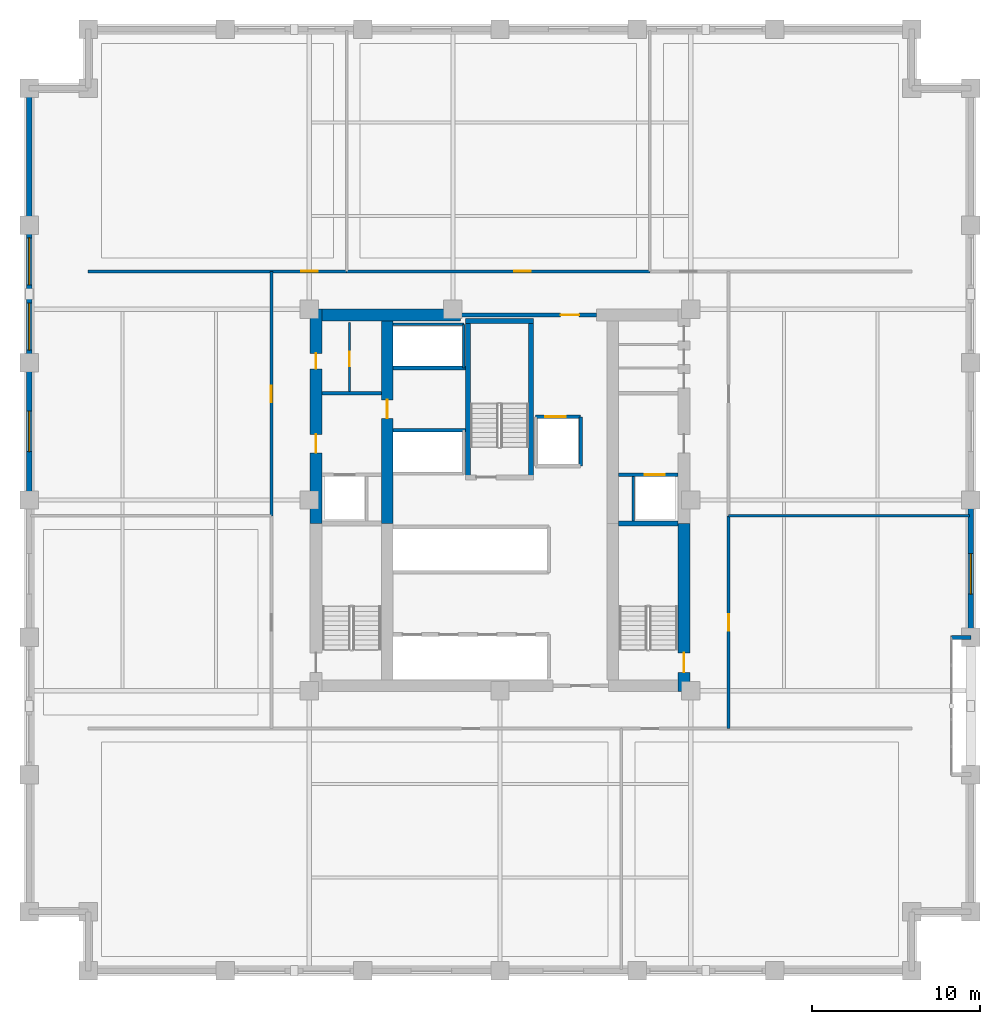
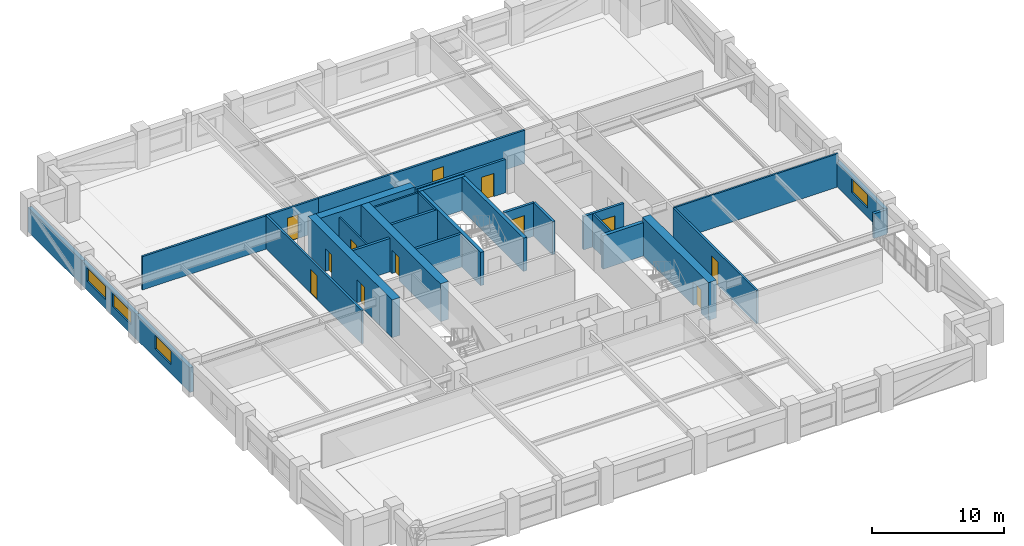
# One storey, part 5 of 12: 29 walls, 12 doors, 4 windows, 16 openings.
"""IFC4 building model written with IfcOpenShell, lengths in metres."""

import ifcopenshell
import ifcopenshell.guid

model = None  # the IFC model being written
_history = None  # IfcOwnerHistory: only IFC2X3 demands one
_inside = {}  # id of a spatial element -> (the spatial element, [elements in it])
_under = {}  # id of a project, library or spatial element -> (it, [spatial elements below it])
_declared = {}  # id of a project -> (the project, [libraries it declares])
_typed = {}  # id of a type object -> (the type object, [elements of that type])
_made_of = {}  # id of a material, layer set ... -> (it, [elements and type objects made of it])


def new_model(schema):
    """Start an empty IFC model of exactly this schema.

    Asked for "IFC4X3", IfcOpenShell would pick the latest addendum, in which some entities
    have other attributes; the version numbers below select the first issue.
    IFC2X3 requires an IfcOwnerHistory on every rooted entity: one is made here for all.
    """
    global model, _history
    if schema == "IFC4X3":
        model = ifcopenshell.file(schema_version=(4, 3, 0, 0))
    else:
        model = ifcopenshell.file(schema=schema)
    _inside.clear()
    _under.clear()
    _declared.clear()
    _typed.clear()
    _made_of.clear()
    _history = None
    if model.schema == "IFC2X3":
        org = make("IfcOrganization", Name="unknown")
        user = make(
            "IfcPersonAndOrganization",
            ThePerson=make("IfcPerson", FamilyName="unknown"),
            TheOrganization=org,
        )
        app = make(
            "IfcApplication",
            ApplicationDeveloper=org,
            Version="unknown",
            ApplicationFullName="unknown",
            ApplicationIdentifier="unknown",
        )
        _history = make(
            "IfcOwnerHistory",
            OwningUser=user,
            OwningApplication=app,
            ChangeAction="ADDED",
            CreationDate=0,
        )
    return model


def make(cls, **values):
    """One entity of the class cls with the attributes given. An attribute that is None is left unset."""
    return model.create_entity(
        cls, **{name: value for name, value in values.items() if value is not None}
    )


def rooted(cls, **values):
    """An entity with a GlobalId (a new one), such as an element, a storey or a relation."""
    return make(cls, GlobalId=ifcopenshell.guid.new(), OwnerHistory=_history, **values)


def si_unit(unit_type, name, prefix=None):
    """IfcSIUnit, for example si_unit("LENGTHUNIT", "METRE", prefix="MILLI")."""
    return make("IfcSIUnit", UnitType=unit_type, Prefix=prefix, Name=name)


def assignment(units):
    """IfcUnitAssignment: the units of a project."""
    return None if units is None else make("IfcUnitAssignment", Units=units)


def point(xyz):
    """IfcCartesianPoint."""
    return None if xyz is None else make("IfcCartesianPoint", Coordinates=xyz)


def direction(xyz):
    """IfcDirection."""
    return None if xyz is None else make("IfcDirection", DirectionRatios=xyz)


def frame(location, z_axis=None, x_axis=None):
    """IfcAxis2Placement3D, a coordinate frame: its origin and axes. An axis left out is left unset."""
    return make(
        "IfcAxis2Placement3D",
        Location=point(location),
        Axis=direction(z_axis),
        RefDirection=direction(x_axis),
    )


def frame_2d(location, x_axis=None):
    """IfcAxis2Placement2D, a coordinate frame in the plane: its origin and x axis."""
    return make(
        "IfcAxis2Placement2D", Location=point(location), RefDirection=direction(x_axis)
    )


def origin():
    """The frame at (0, 0, 0) with its axes left unset."""
    return frame((0.0, 0.0, 0.0))


def place(relative_to, where):
    """IfcLocalPlacement: puts the frame where relative to a parent placement (None: the world)."""
    return make(
        "IfcLocalPlacement", PlacementRelTo=relative_to, RelativePlacement=where
    )


def context(
    kind, dimensions, precision=None, world=None, true_north=None, identifier=None
):
    """IfcGeometricRepresentationContext, for example the 3D "Model" context."""
    return make(
        "IfcGeometricRepresentationContext",
        ContextIdentifier=identifier,
        ContextType=kind,
        CoordinateSpaceDimension=dimensions,
        Precision=precision,
        WorldCoordinateSystem=world,
        TrueNorth=true_north,
    )


def subcontext(parent, identifier, kind, view, scale=None):
    """IfcGeometricRepresentationSubContext, for example "Body" below "Model"."""
    return make(
        "IfcGeometricRepresentationSubContext",
        ContextIdentifier=identifier,
        ContextType=kind,
        ParentContext=parent,
        TargetScale=scale,
        TargetView=view,
    )


def project(units=None, contexts=None):
    """IfcProject with its units and contexts."""
    return rooted(
        "IfcProject",
        Name="project",
        RepresentationContexts=contexts,
        UnitsInContext=assignment(units),
    )


def spatial(cls, under=None, at=None, **own):
    """A site, building, storey or space (cls), placed at a placement, below another one or the project."""
    s = rooted(cls, ObjectPlacement=at, **own)
    if under is not None:
        _under.setdefault(under.id(), (under, []))[1].append(s)
    return s


def profile(cls, at=None, kind="AREA", **sizes):
    """A parametric profile (cls). Its sizes go by their IFC names, for example OverallWidth=200.0."""
    return make(cls, ProfileType=kind, Position=at, **sizes)


def rectangle(**sizes):
    """IfcRectangleProfileDef."""
    return profile("IfcRectangleProfileDef", **sizes)


def extrude(swept, where, along, depth):
    """IfcExtrudedAreaSolid: the profile swept, set in the frame where, extruded along a direction by depth."""
    return make(
        "IfcExtrudedAreaSolid",
        SweptArea=swept,
        Position=where,
        ExtrudedDirection=direction(along),
        Depth=depth,
    )


def shape(context_of_items, identifier, shape_type, items):
    """IfcShapeRepresentation: the items that make up one representation, for example the "Body"."""
    return make(
        "IfcShapeRepresentation",
        ContextOfItems=context_of_items,
        RepresentationIdentifier=identifier,
        RepresentationType=shape_type,
        Items=items,
    )


def material(Name=None, Category=None):
    """IfcMaterial."""
    return make("IfcMaterial", Name=Name, Category=Category)


def layer(
    of_material, thickness, ventilated=None, Name=None, Category=None, Priority=None
):
    """IfcMaterialLayer: one layer of a wall or slab, of a material (None: an air gap)."""
    return make(
        "IfcMaterialLayer",
        Material=of_material,
        LayerThickness=thickness,
        IsVentilated=ventilated,
        Name=Name,
        Category=Category,
        Priority=Priority,
    )


def layer_set(layers, Name=None):
    """IfcMaterialLayerSet."""
    return make("IfcMaterialLayerSet", MaterialLayers=layers, LayerSetName=Name)


def made_of(thing, what):
    """Note that an element or type object is made of a material, layer set ...; save() writes the relation."""
    if what is not None:
        _made_of.setdefault(what.id(), (what, []))[1].append(thing)
    return thing


def type_object(cls, material=None, **own):
    """A type object (cls), such as IfcWallType, which elements share."""
    return made_of(rooted(cls, **own), material)


def element(
    cls,
    number,
    at=None,
    inside=None,
    cuts=None,
    type_object=None,
    material=None,
    context=None,
    identifier="Body",
    shape_type=None,
    held_by="IfcProductDefinitionShape",
    body=None,
    shapes=None,
    **own,
):
    """One element of the class cls, such as IfcWall. Its Tag is "e" and its number.

    at: its placement. inside: the storey or other place that contains it. cuts: it is an
    opening in that element (IfcRelVoidsElement). A single representation is given by context,
    identifier, shape_type and body (its items); several are given by shapes. held_by: the class
    of the entity that holds the representations. save() writes the other relations.
    """
    e = rooted(cls, Tag="e%d" % number, ObjectPlacement=at, **own)
    if body is not None:
        shapes = [shape(context, identifier, shape_type, body)]
    if shapes is not None:
        e.Representation = make(held_by, Representations=shapes)
    if inside is not None:
        _inside.setdefault(inside.id(), (inside, []))[1].append(e)
    if cuts is not None:
        rooted(
            "IfcRelVoidsElement", RelatingBuildingElement=cuts, RelatedOpeningElement=e
        )
    if type_object is not None:
        _typed.setdefault(type_object.id(), (type_object, []))[1].append(e)
    return made_of(e, material)


def fill(opening, filler):
    """IfcRelFillsElement: the door or window that sits in an opening."""
    return rooted(
        "IfcRelFillsElement",
        RelatingOpeningElement=opening,
        RelatedBuildingElement=filler,
    )


def aggregate(whole, parts):
    """IfcRelAggregates: a whole, such as a stair, and the parts it consists of."""
    return rooted("IfcRelAggregates", RelatingObject=whole, RelatedObjects=parts)


def save(model, path):
    """Write the relations noted so far, then the file.

    IfcRelAggregates (storeys below a building ...), IfcRelContainedInSpatialStructure (elements
    in a storey), IfcRelDefinesByType, IfcRelAssociatesMaterial and IfcRelDeclares: one each for
    every whole, place, type object, material and project.
    """
    for whole, parts in _under.values():
        aggregate(whole, parts)
    for where, things in _inside.values():
        rooted(
            "IfcRelContainedInSpatialStructure",
            RelatedElements=things,
            RelatingStructure=where,
        )
    for kind, things in _typed.values():
        rooted("IfcRelDefinesByType", RelatedObjects=things, RelatingType=kind)
    for what, things in _made_of.values():
        rooted("IfcRelAssociatesMaterial", RelatedObjects=things, RelatingMaterial=what)
    for by, libraries in _declared.values():
        rooted("IfcRelDeclares", RelatingContext=by, RelatedDefinitions=libraries)
    model.write(path)


model = new_model("IFC4")

# Units and contexts
model_context = context("Model", 3, precision=1e-05, world=origin(), true_north=direction((0.0, 1.0)))
body_context = subcontext(model_context, "Body", "Model", "MODEL_VIEW")
ifc_project = project(units=[si_unit("LENGTHUNIT", "METRE"), si_unit("AREAUNIT", "SQUARE_METRE"), si_unit("VOLUMEUNIT", "CUBIC_METRE"), si_unit("PLANEANGLEUNIT", "RADIAN"), si_unit("MASSUNIT", "GRAM", prefix="KILO")], contexts=[model_context])

# Site, building, storey
site_placement = place(None, origin())
site = spatial("IfcSite", under=ifc_project, at=site_placement, CompositionType="ELEMENT")
building_placement = place(site_placement, origin())
building = spatial("IfcBuilding", under=site, at=building_placement, Name="Nhamokura Convention Tower", CompositionType="ELEMENT")
storey_placement = place(building_placement, frame((0.0, 0.0, 96.25)))
storey = spatial("IfcBuildingStorey", under=building, at=storey_placement, Name="L23", CompositionType="ELEMENT", Elevation=96.25)

# Wall, opening, door
ifc_material_1 = material(Name="Moisture-resistant tile-backer partition", Category="masonry")
ifc_layer_1 = layer(ifc_material_1, 0.139892578125)
ifc_layer_set_1 = layer_set([ifc_layer_1], Name="BathroomWetWall_140")
wall_type_1 = type_object("IfcWallType", Name="BathroomWetWall_140", PredefinedType="STANDARD", material=ifc_layer_set_1)
wall_1_placement = place(storey_placement, frame((23.050048828125, 38.449951171875, 0.0), z_axis=(0.0, 0.0, 1.0), x_axis=(0.0, 1.0, 0.0)))
wall_1 = element("IfcWall", 1, at=wall_1_placement, inside=storey, type_object=wall_type_1, Name="L23 Wall INT-L23-CWNWV", PredefinedType="STANDARD", context=body_context, shape_type="SweptSolid", body=[
    extrude(rectangle(XDim=4.10009765625, YDim=0.139892578125, at=frame_2d((2.050048828125, 0.0))), origin(), (0.0, 0.0, 1.0), 3.080078125),
])
opening_1_placement = place(wall_1_placement, frame((1.5, 0.0, 0.0)))
opening_1 = element("IfcOpeningElement", 2, at=opening_1_placement, cuts=wall_1, Name="Opening D-11", PredefinedType="OPENING", context=body_context, shape_type="SweptSolid", body=[
    extrude(rectangle(XDim=0.8798828125, YDim=2.10009765625, at=frame_2d((0.43994140625, 1.050048828125))), frame((0.0, 0.079833984375, 0.0), z_axis=(0.0, -1.0, 0.0), x_axis=(1.0, 0.0, 0.0)), (0.0, 0.0, 1.0), 0.159912109375),
])
ifc_material_2 = material(Name="Solid oak hardwood", Category="wood")
door_type_1 = type_object("IfcDoorType", Name="BathroomDoor_880", OperationType="NOTDEFINED", PredefinedType="DOOR", material=ifc_material_2)
door_1_placement = place(opening_1_placement, origin())
door_1 = element("IfcDoor", 3, at=door_1_placement, inside=storey, type_object=door_type_1, Name="L23 Inner Store Door", OperationType="SINGLE_SWING_LEFT", OverallHeight=2.10009765625, OverallWidth=0.8798828125, PredefinedType="DOOR", context=body_context, shape_type="SweptSolid", body=[
    extrude(rectangle(XDim=0.8798828125, YDim=2.10009765625, at=frame_2d((0.43994140625, 1.050048828125))), frame((0.0, 0.02490234375, 0.0), z_axis=(0.0, -1.0, 0.0), x_axis=(1.0, 0.0, 0.0)), (0.0, 0.0, 1.0), 0.050048828125),
])
fill(opening_1, door_1)

# Wall, opening, window
ifc_material_3 = material(Name="Bronze-pigmented precast concrete C45/55", Category="concrete")
ifc_layer_2 = layer(ifc_material_3, 0.320068359375)
ifc_layer_set_2 = layer_set([ifc_layer_2], Name="BronzePrecastSpandrel_320")
wall_type_2 = type_object("IfcWallType", Name="BronzePrecastSpandrel_320", PredefinedType="USERDEFINED", material=ifc_layer_set_2)
wall_2_placement = place(storey_placement, frame((4.0, 32.0, 0.0), z_axis=(0.0, 0.0, 1.0), x_axis=(0.0, 1.0, 0.0)))
wall_2 = element("IfcWall", 4, at=wall_2_placement, inside=storey, type_object=wall_type_2, Name="L23 Masonry-Frame Wall WEST 3", ObjectType="SPANDREL_WALL", PredefinedType="USERDEFINED", context=body_context, shape_type="SweptSolid", body=[
    extrude(rectangle(XDim=8.166748046875, YDim=0.320068359375, at=frame_2d((4.08349609375, 0.0))), origin(), (0.0, 0.0, 1.0), 2.280029296875),
])
opening_2_placement = place(wall_2_placement, frame((2.88330078125, 0.0, 0.85009765625)))
opening_2 = element("IfcOpeningElement", 5, at=opening_2_placement, cuts=wall_2, Name="Opening W-03", PredefinedType="OPENING", context=body_context, shape_type="SweptSolid", body=[
    extrude(rectangle(XDim=2.39990234375, YDim=1.22998046875, at=frame_2d((1.199951171875, 0.614990234375))), frame((0.0, 0.169921875, 0.0), z_axis=(0.0, -1.0, 0.0), x_axis=(1.0, 0.0, 0.0)), (0.0, 0.0, 1.0), 0.340087890625),
])
ifc_material_4 = material(Name="Solar-control bronze low-E double glass", Category="glass")
window_type_1 = type_object("IfcWindowType", Name="HotelBayWindow_2400", PartitioningType="DOUBLE_PANEL_VERTICAL", PredefinedType="WINDOW", material=ifc_material_4)
window_1_placement = place(opening_2_placement, origin())
window_1 = element("IfcWindow", 6, at=window_1_placement, inside=storey, type_object=window_type_1, Name="L23 Facade Window WEST 3", OverallHeight=1.22998046875, OverallWidth=2.39990234375, PartitioningType="SINGLE_PANEL", PredefinedType="WINDOW", context=body_context, shape_type="SweptSolid", body=[
    extrude(rectangle(XDim=2.39990234375, YDim=1.22998046875, at=frame_2d((1.199951171875, 0.614990234375))), frame((0.0, 0.030029296875, 0.0), z_axis=(0.0, -1.0, 0.0), x_axis=(1.0, 0.0, 0.0)), (0.0, 0.0, 1.0), 0.06005859375),
])
fill(opening_2, window_1)

# Wall, openings, windows
wall_3_placement = place(storey_placement, frame((4.0, 40.166748046875, 0.0), z_axis=(0.0, 0.0, 1.0), x_axis=(0.0, 1.0, 0.0)))
wall_3 = element("IfcWall", 7, at=wall_3_placement, inside=storey, type_object=wall_type_2, Name="L23 Masonry-Frame Wall WEST 4", ObjectType="SPANDREL_WALL", PredefinedType="USERDEFINED", context=body_context, shape_type="SweptSolid", body=[
    extrude(rectangle(XDim=8.16650390625, YDim=0.320068359375, at=frame_2d((4.083251953125, 0.0))), origin(), (0.0, 0.0, 1.0), 2.280029296875),
])
opening_3_placement = place(wall_3_placement, frame((0.74169921875, 0.0, 0.85009765625)))
opening_3 = element("IfcOpeningElement", 8, at=opening_3_placement, cuts=wall_3, Name="Opening W-04", PredefinedType="OPENING", context=body_context, shape_type="SweptSolid", body=[
    extrude(rectangle(XDim=2.800048828125, YDim=1.22998046875, at=frame_2d((1.39990234375, 0.614990234375))), frame((0.0, 0.169921875, 0.0), z_axis=(0.0, -1.0, 0.0), x_axis=(1.0, 0.0, 0.0)), (0.0, 0.0, 1.0), 0.340087890625),
])
opening_4_placement = place(wall_3_placement, frame((4.625, 0.0, 0.85009765625)))
opening_4 = element("IfcOpeningElement", 9, at=opening_4_placement, cuts=wall_3, Name="Opening W-04", PredefinedType="OPENING", context=body_context, shape_type="SweptSolid", body=[
    extrude(rectangle(XDim=2.800048828125, YDim=1.22998046875, at=frame_2d((1.39990234375, 0.614990234375))), frame((0.0, 0.169921875, 0.0), z_axis=(0.0, -1.0, 0.0), x_axis=(1.0, 0.0, 0.0)), (0.0, 0.0, 1.0), 0.340087890625),
])
ifc_material_5 = material(Name="Solar-control bronze low-E double glass", Category="glass")
window_type_2 = type_object("IfcWindowType", Name="HotelSuiteWindow_2800", PartitioningType="DOUBLE_PANEL_VERTICAL", PredefinedType="WINDOW", material=ifc_material_5)
window_2_placement = place(opening_3_placement, origin())
window_2 = element("IfcWindow", 10, at=window_2_placement, inside=storey, type_object=window_type_2, Name="L23 Facade Window WEST 4-1", OverallHeight=1.22998046875, OverallWidth=2.800048828125, PartitioningType="SINGLE_PANEL", PredefinedType="WINDOW", context=body_context, shape_type="SweptSolid", body=[
    extrude(rectangle(XDim=2.800048828125, YDim=1.22998046875, at=frame_2d((1.39990234375, 0.614990234375))), frame((0.0, 0.030029296875, 0.0), z_axis=(0.0, -1.0, 0.0), x_axis=(1.0, 0.0, 0.0)), (0.0, 0.0, 1.0), 0.06005859375),
])
fill(opening_3, window_2)
window_3_placement = place(opening_4_placement, origin())
window_3 = element("IfcWindow", 11, at=window_3_placement, inside=storey, type_object=window_type_2, Name="L23 Facade Window WEST 4-2", OverallHeight=1.22998046875, OverallWidth=2.800048828125, PartitioningType="SINGLE_PANEL", PredefinedType="WINDOW", context=body_context, shape_type="SweptSolid", body=[
    extrude(rectangle(XDim=2.800048828125, YDim=1.22998046875, at=frame_2d((1.39990234375, 0.614990234375))), frame((0.0, 0.030029296875, 0.0), z_axis=(0.0, -1.0, 0.0), x_axis=(1.0, 0.0, 0.0)), (0.0, 0.0, 1.0), 0.06005859375),
])
fill(opening_4, window_3)

# Walls
wall_4_placement = place(storey_placement, frame((4.0, 48.333251953125, 0.0), z_axis=(0.0, 0.0, 1.0), x_axis=(0.0, 1.0, 0.0)))
element("IfcWall", 12, at=wall_4_placement, inside=storey, type_object=wall_type_2, Name="L23 Braced-Bay Precast Wall WEST 5", ObjectType="SPANDREL_WALL", PredefinedType="USERDEFINED", context=body_context, shape_type="SweptSolid", body=[
    extrude(rectangle(XDim=8.166748046875, YDim=0.320068359375, at=frame_2d((4.08349609375, 0.0))), origin(), (0.0, 0.0, 1.0), 2.280029296875),
])
wall_5_placement = place(storey_placement, frame((60.0, 23.833251953125, 0.0), z_axis=(0.0, 0.0, 1.0), x_axis=(-1.0, 0.0, 0.0)))
element("IfcWall", 13, at=wall_5_placement, inside=storey, type_object=wall_type_2, Name="L23 Scale Slot Cheek Wall EASTB", ObjectType="SPANDREL_WALL", PredefinedType="USERDEFINED", context=body_context, shape_type="SweptSolid", body=[
    extrude(rectangle(XDim=1.14990234375, YDim=0.239990234375, at=frame_2d((0.574951171875, 0.0))), origin(), (0.0, 0.0, 1.0), 2.280029296875),
])

# Wall, opening, window
wall_6_placement = place(storey_placement, frame((60.0, 32.0, 0.0), z_axis=(0.0, 0.0, 1.0), x_axis=(0.0, -1.0, 0.0)))
wall_6 = element("IfcWall", 14, at=wall_6_placement, inside=storey, type_object=wall_type_2, Name="L23 Masonry-Frame Wall EAST 2", ObjectType="SPANDREL_WALL", PredefinedType="USERDEFINED", context=body_context, shape_type="SweptSolid", body=[
    extrude(rectangle(XDim=8.166748046875, YDim=0.320068359375, at=frame_2d((4.08349609375, 0.0))), origin(), (0.0, 0.0, 1.0), 2.280029296875),
])
opening_5_placement = place(wall_6_placement, frame((3.19580078125, 0.0, 0.85009765625)))
opening_5 = element("IfcOpeningElement", 15, at=opening_5_placement, cuts=wall_6, Name="Opening W-03", PredefinedType="OPENING", context=body_context, shape_type="SweptSolid", body=[
    extrude(rectangle(XDim=2.39990234375, YDim=1.22998046875, at=frame_2d((1.199951171875, 0.614990234375))), frame((0.0, 0.169921875, 0.0), z_axis=(0.0, -1.0, 0.0), x_axis=(1.0, 0.0, 0.0)), (0.0, 0.0, 1.0), 0.340087890625),
])
window_4_placement = place(opening_5_placement, origin())
window_4 = element("IfcWindow", 16, at=window_4_placement, inside=storey, type_object=window_type_1, Name="L23 Facade Window EAST 2", OverallHeight=1.22998046875, OverallWidth=2.39990234375, PartitioningType="SINGLE_PANEL", PredefinedType="WINDOW", context=body_context, shape_type="SweptSolid", body=[
    extrude(rectangle(XDim=2.39990234375, YDim=1.22998046875, at=frame_2d((1.199951171875, 0.614990234375))), frame((0.0, 0.030029296875, 0.0), z_axis=(0.0, -1.0, 0.0), x_axis=(1.0, 0.0, 0.0)), (0.0, 0.0, 1.0), 0.06005859375),
])
fill(opening_5, window_4)

# Wall, openings, doors
ifc_material_6 = material(Name="Concrete C70/85", Category="concrete")
ifc_layer_3 = layer(ifc_material_6, 0.699951171875)
ifc_layer_set_3 = layer_set([ifc_layer_3], Name="CoreShearWall_700")
wall_type_3 = type_object("IfcWallType", Name="CoreShearWall_700", PredefinedType="SHEAR", material=ifc_layer_set_3)
wall_7_placement = place(storey_placement, frame((21.06005859375, 30.60009765625, 0.0), z_axis=(0.0, 0.0, 1.0), x_axis=(0.0, 1.0, 0.0)))
wall_7 = element("IfcWall", 17, at=wall_7_placement, inside=storey, type_object=wall_type_3, Name="L23 Core Shear Wall CW-WN", PredefinedType="SHEAR", context=body_context, shape_type="SweptSolid", body=[
    extrude(rectangle(XDim=12.75, YDim=0.699951171875, at=frame_2d((6.375, 0.0))), origin(), (0.0, 0.0, 1.0), 3.5),
])
opening_6_placement = place(wall_7_placement, frame((4.199951171875, 0.0, 0.0)))
opening_6 = element("IfcOpeningElement", 18, at=opening_6_placement, cuts=wall_7, Name="Opening D-05", PredefinedType="OPENING", context=body_context, shape_type="SweptSolid", body=[
    extrude(rectangle(XDim=1.10009765625, YDim=2.14990234375, at=frame_2d((0.550048828125, 1.074951171875))), frame((0.0, 0.35986328125, 0.0), z_axis=(0.0, -1.0, 0.0), x_axis=(1.0, 0.0, 0.0)), (0.0, 0.0, 1.0), 0.719970703125),
])
opening_7_placement = place(wall_7_placement, frame((9.199951171875, 0.0, 0.0)))
opening_7 = element("IfcOpeningElement", 19, at=opening_7_placement, cuts=wall_7, Name="Opening D-10", PredefinedType="OPENING", context=body_context, shape_type="SweptSolid", body=[
    extrude(rectangle(XDim=0.919921875, YDim=2.10009765625, at=frame_2d((0.4599609375, 1.050048828125))), frame((0.0, 0.35986328125, 0.0), z_axis=(0.0, -1.0, 0.0), x_axis=(1.0, 0.0, 0.0)), (0.0, 0.0, 1.0), 0.719970703125),
])
ifc_material_7 = material(Name="Solid oak hardwood", Category="wood")
door_type_2 = type_object("IfcDoorType", Name="AccessibleWCDoor_920", OperationType="NOTDEFINED", PredefinedType="DOOR", material=ifc_material_7)
door_2_placement = place(opening_7_placement, origin())
door_2 = element("IfcDoor", 20, at=door_2_placement, inside=storey, type_object=door_type_2, Name="L23 Core Door INT-L23-D-AWCW", OperationType="SINGLE_SWING_RIGHT", OverallHeight=2.10009765625, OverallWidth=0.919921875, PredefinedType="DOOR", context=body_context, shape_type="SweptSolid", body=[
    extrude(rectangle(XDim=0.919921875, YDim=2.10009765625, at=frame_2d((0.4599609375, 1.050048828125))), frame((0.0, 0.02490234375, 0.0), z_axis=(0.0, -1.0, 0.0), x_axis=(1.0, 0.0, 0.0)), (0.0, 0.0, 1.0), 0.050048828125),
])
fill(opening_7, door_2)
ifc_material_8 = material(Name="Fire-rated steel door", Category="steel")
door_type_3 = type_object("IfcDoorType", Name="FireLobbyDoor_1100", OperationType="NOTDEFINED", PredefinedType="DOOR", material=ifc_material_8)
door_3_placement = place(opening_6_placement, origin())
door_3 = element("IfcDoor", 21, at=door_3_placement, inside=storey, type_object=door_type_3, Name="L23 Core Door INT-L23-D-FFLW", OperationType="SINGLE_SWING_RIGHT", OverallHeight=2.14990234375, OverallWidth=1.10009765625, PredefinedType="DOOR", context=body_context, shape_type="SweptSolid", body=[
    extrude(rectangle(XDim=1.10009765625, YDim=2.14990234375, at=frame_2d((0.550048828125, 1.074951171875))), frame((0.0, 0.02490234375, 0.0), z_axis=(0.0, -1.0, 0.0), x_axis=(1.0, 0.0, 0.0)), (0.0, 0.0, 1.0), 0.050048828125),
])
fill(opening_6, door_3)

# Wall, opening, door
wall_8_placement = place(storey_placement, frame((42.93994140625, 20.60009765625, 0.0), z_axis=(0.0, 0.0, 1.0), x_axis=(0.0, 1.0, 0.0)))
wall_8 = element("IfcWall", 22, at=wall_8_placement, inside=storey, type_object=wall_type_3, Name="L23 Core Shear Wall CW-ES", PredefinedType="SHEAR", context=body_context, shape_type="SweptSolid", body=[
    extrude(rectangle(XDim=10.0, YDim=0.699951171875, at=frame_2d((5.0, 0.0))), origin(), (0.0, 0.0, 1.0), 3.5),
])
opening_8_placement = place(wall_8_placement, frame((1.14990234375, 0.0, 0.0)))
opening_8 = element("IfcOpeningElement", 23, at=opening_8_placement, cuts=wall_8, Name="Opening D-04", PredefinedType="OPENING", context=body_context, shape_type="SweptSolid", body=[
    extrude(rectangle(XDim=1.14990234375, YDim=2.14990234375, at=frame_2d((0.574951171875, 1.074951171875))), frame((0.0, 0.35986328125, 0.0), z_axis=(0.0, -1.0, 0.0), x_axis=(1.0, 0.0, 0.0)), (0.0, 0.0, 1.0), 0.719970703125),
])
ifc_material_9 = material(Name="Fire-rated steel door", Category="steel")
door_type_4 = type_object("IfcDoorType", Name="StairSmokeDoor_1150", OperationType="NOTDEFINED", PredefinedType="DOOR", material=ifc_material_9)
door_4_placement = place(opening_8_placement, origin())
door_4 = element("IfcDoor", 24, at=door_4_placement, inside=storey, type_object=door_type_4, Name="L23 Core Door INT-L23-D-ST02", OperationType="SINGLE_SWING_RIGHT", OverallHeight=2.14990234375, OverallWidth=1.14990234375, PredefinedType="DOOR", context=body_context, shape_type="SweptSolid", body=[
    extrude(rectangle(XDim=1.14990234375, YDim=2.14990234375, at=frame_2d((0.574951171875, 1.074951171875))), frame((0.0, 0.02490234375, 0.0), z_axis=(0.0, -1.0, 0.0), x_axis=(1.0, 0.0, 0.0)), (0.0, 0.0, 1.0), 0.050048828125),
])
fill(opening_8, door_4)

# Wall
wall_9_placement = place(storey_placement, frame((21.409912109375, 43.0, 0.0), z_axis=(0.0, 0.0, 1.0), x_axis=(1.0, 0.0, 0.0)))
element("IfcWall", 25, at=wall_9_placement, inside=storey, type_object=wall_type_3, Name="L23 Core Shear Wall CW-N1", PredefinedType="SHEAR", context=body_context, shape_type="SweptSolid", body=[
    extrude(rectangle(XDim=8.239990234375, YDim=0.699951171875, at=frame_2d((4.1201171875, 0.0))), origin(), (0.0, 0.0, 1.0), 3.5),
])

# Wall, opening, door
wall_10_placement = place(storey_placement, frame((25.2900390625, 30.60009765625, 0.0), z_axis=(0.0, 0.0, 1.0), x_axis=(0.0, 1.0, 0.0)))
wall_10 = element("IfcWall", 26, at=wall_10_placement, inside=storey, type_object=wall_type_3, Name="L23 Core Shear Wall CW-IWN", PredefinedType="SHEAR", context=body_context, shape_type="SweptSolid", body=[
    extrude(rectangle(XDim=12.0498046875, YDim=0.699951171875, at=frame_2d((6.02490234375, 0.0))), origin(), (0.0, 0.0, 1.0), 3.5),
])
opening_9_placement = place(wall_10_placement, frame((6.25, 0.0, 0.0)))
opening_9 = element("IfcOpeningElement", 27, at=opening_9_placement, cuts=wall_10, Name="Opening D-05", PredefinedType="OPENING", context=body_context, shape_type="SweptSolid", body=[
    extrude(rectangle(XDim=1.10009765625, YDim=2.14990234375, at=frame_2d((0.550048828125, 1.074951171875))), frame((0.0, 0.35986328125, 0.0), z_axis=(0.0, -1.0, 0.0), x_axis=(1.0, 0.0, 0.0)), (0.0, 0.0, 1.0), 0.719970703125),
])
door_5_placement = place(opening_9_placement, origin())
door_5 = element("IfcDoor", 28, at=door_5_placement, inside=storey, type_object=door_type_3, Name="L23 Core Door INT-L23-D-B3LOB", OperationType="SINGLE_SWING_LEFT", OverallHeight=2.14990234375, OverallWidth=1.10009765625, PredefinedType="DOOR", context=body_context, shape_type="SweptSolid", body=[
    extrude(rectangle(XDim=1.10009765625, YDim=2.14990234375, at=frame_2d((0.550048828125, 1.074951171875))), frame((0.0, 0.02490234375, 0.0), z_axis=(0.0, -1.0, 0.0), x_axis=(1.0, 0.0, 0.0)), (0.0, 0.0, 1.0), 0.050048828125),
])
fill(opening_9, door_5)

ifc_material_10 = material(Name="Fire-rated gypsum and masonry partition", Category="masonry")
ifc_layer_4 = layer(ifc_material_10, 0.179931640625)
ifc_layer_set_4 = layer_set([ifc_layer_4], Name="CorridorRatedWall_180")
wall_type_4 = type_object("IfcWallType", Name="CorridorRatedWall_180", PredefinedType="STANDARD", material=ifc_layer_set_4)
wall_11_placement = place(storey_placement, frame((7.5, 45.60009765625, 0.0), z_axis=(0.0, 0.0, 1.0), x_axis=(1.0, 0.0, 0.0)))
wall_11 = element("IfcWall", 29, at=wall_11_placement, inside=storey, type_object=wall_type_4, Name="L23 Wall INT-L23-CW-N00", PredefinedType="STANDARD", context=body_context, shape_type="SweptSolid", body=[
    extrude(rectangle(XDim=15.38330078125, YDim=0.179931640625, at=frame_2d((7.691650390625, 0.0))), origin(), (0.0, 0.0, 1.0), 3.080078125),
])
opening_10_placement = place(wall_11_placement, frame((12.66650390625, 0.0, 0.0)))
opening_10 = element("IfcOpeningElement", 30, at=opening_10_placement, cuts=wall_11, Name="Opening D-08", PredefinedType="OPENING", context=body_context, shape_type="SweptSolid", body=[
    extrude(rectangle(XDim=0.97998046875, YDim=2.199951171875, at=frame_2d((0.489990234375, 1.10009765625))), frame((0.0, 0.099853515625, 0.0), z_axis=(0.0, -1.0, 0.0), x_axis=(1.0, 0.0, 0.0)), (0.0, 0.0, 1.0), 0.199951171875),
])
ifc_material_11 = material(Name="Solid oak hardwood", Category="wood")
door_type_5 = type_object("IfcDoorType", Name="OfficeEntryDoor_980", OperationType="NOTDEFINED", PredefinedType="DOOR", material=ifc_material_11)
door_6_placement = place(opening_10_placement, origin())
door_6 = element("IfcDoor", 31, at=door_6_placement, inside=storey, type_object=door_type_5, Name="L23 Club Salon N01 Door", OperationType="SINGLE_SWING_LEFT", OverallHeight=2.199951171875, OverallWidth=0.97998046875, PredefinedType="DOOR", context=body_context, shape_type="SweptSolid", body=[
    extrude(rectangle(XDim=0.97998046875, YDim=2.199951171875, at=frame_2d((0.489990234375, 1.10009765625))), frame((0.0, 0.02490234375, 0.0), z_axis=(0.0, -1.0, 0.0), x_axis=(1.0, 0.0, 0.0)), (0.0, 0.0, 1.0), 0.050048828125),
])
fill(opening_10, door_6)

wall_12_placement = place(storey_placement, frame((22.88330078125, 45.60009765625, 0.0), z_axis=(0.0, 0.0, 1.0), x_axis=(1.0, 0.0, 0.0)))
wall_12 = element("IfcWall", 32, at=wall_12_placement, inside=storey, type_object=wall_type_4, Name="L23 Wall INT-L23-CW-N01", PredefinedType="STANDARD", context=body_context, shape_type="SweptSolid", body=[
    extrude(rectangle(XDim=18.033447265625, YDim=0.179931640625, at=frame_2d((9.0166015625, 0.0))), origin(), (0.0, 0.0, 1.0), 3.080078125),
])
opening_11_placement = place(wall_12_placement, frame((9.966796875, 0.0, 0.0)))
opening_11 = element("IfcOpeningElement", 33, at=opening_11_placement, cuts=wall_12, Name="Opening D-08", PredefinedType="OPENING", context=body_context, shape_type="SweptSolid", body=[
    extrude(rectangle(XDim=0.97998046875, YDim=2.199951171875, at=frame_2d((0.489990234375, 1.10009765625))), frame((0.0, 0.099853515625, 0.0), z_axis=(0.0, -1.0, 0.0), x_axis=(1.0, 0.0, 0.0)), (0.0, 0.0, 1.0), 0.199951171875),
])
door_7_placement = place(opening_11_placement, origin())
door_7 = element("IfcDoor", 34, at=door_7_placement, inside=storey, type_object=door_type_5, Name="L23 Business Office N02 Door", OperationType="SINGLE_SWING_RIGHT", OverallHeight=2.199951171875, OverallWidth=0.97998046875, PredefinedType="DOOR", context=body_context, shape_type="SweptSolid", body=[
    extrude(rectangle(XDim=0.97998046875, YDim=2.199951171875, at=frame_2d((0.489990234375, 1.10009765625))), frame((0.0, 0.02490234375, 0.0), z_axis=(0.0, -1.0, 0.0), x_axis=(1.0, 0.0, 0.0)), (0.0, 0.0, 1.0), 0.050048828125),
])
fill(opening_11, door_7)

wall_13_placement = place(storey_placement, frame((18.39990234375, 31.050048828125, 0.0), z_axis=(0.0, 0.0, 1.0), x_axis=(0.0, 1.0, 0.0)))
wall_13 = element("IfcWall", 35, at=wall_13_placement, inside=storey, type_object=wall_type_4, Name="L23 Wall INT-L23-CW-W01", PredefinedType="STANDARD", context=body_context, shape_type="SweptSolid", body=[
    extrude(rectangle(XDim=14.550048828125, YDim=0.179931640625, at=frame_2d((7.27490234375, 0.0))), origin(), (0.0, 0.0, 1.0), 3.080078125),
])
opening_12_placement = place(wall_13_placement, frame((6.77490234375, 0.0, 0.0)))
opening_12 = element("IfcOpeningElement", 36, at=opening_12_placement, cuts=wall_13, Name="Opening D-08", PredefinedType="OPENING", context=body_context, shape_type="SweptSolid", body=[
    extrude(rectangle(XDim=0.97998046875, YDim=2.199951171875, at=frame_2d((0.489990234375, 1.10009765625))), frame((0.0, 0.099853515625, 0.0), z_axis=(0.0, -1.0, 0.0), x_axis=(1.0, 0.0, 0.0)), (0.0, 0.0, 1.0), 0.199951171875),
])
door_8_placement = place(opening_12_placement, origin())
door_8 = element("IfcDoor", 37, at=door_8_placement, inside=storey, type_object=door_type_5, Name="L23 Private Office W02 Door", OperationType="SINGLE_SWING_RIGHT", OverallHeight=2.199951171875, OverallWidth=0.97998046875, PredefinedType="DOOR", context=body_context, shape_type="SweptSolid", body=[
    extrude(rectangle(XDim=0.97998046875, YDim=2.199951171875, at=frame_2d((0.489990234375, 1.10009765625))), frame((0.0, 0.02490234375, 0.0), z_axis=(0.0, -1.0, 0.0), x_axis=(1.0, 0.0, 0.0)), (0.0, 0.0, 1.0), 0.050048828125),
])
fill(opening_12, door_8)

wall_14_placement = place(storey_placement, frame((45.60009765625, 18.39990234375, 0.0), z_axis=(0.0, 0.0, 1.0), x_axis=(0.0, 1.0, 0.0)))
wall_14 = element("IfcWall", 38, at=wall_14_placement, inside=storey, type_object=wall_type_4, Name="L23 Wall INT-L23-CW-E00", PredefinedType="STANDARD", context=body_context, shape_type="SweptSolid", body=[
    extrude(rectangle(XDim=12.650146484375, YDim=0.179931640625, at=frame_2d((6.3251953125, 0.0))), origin(), (0.0, 0.0, 1.0), 3.080078125),
])
opening_13_placement = place(wall_14_placement, frame((5.824951171875, 0.0, 0.0)))
opening_13 = element("IfcOpeningElement", 39, at=opening_13_placement, cuts=wall_14, Name="Opening D-08", PredefinedType="OPENING", context=body_context, shape_type="SweptSolid", body=[
    extrude(rectangle(XDim=0.97998046875, YDim=2.199951171875, at=frame_2d((0.489990234375, 1.10009765625))), frame((0.0, 0.099853515625, 0.0), z_axis=(0.0, -1.0, 0.0), x_axis=(1.0, 0.0, 0.0)), (0.0, 0.0, 1.0), 0.199951171875),
])
door_9_placement = place(opening_13_placement, origin())
door_9 = element("IfcDoor", 40, at=door_9_placement, inside=storey, type_object=door_type_5, Name="L23 Boardroom E01 Door", OperationType="SINGLE_SWING_LEFT", OverallHeight=2.199951171875, OverallWidth=0.97998046875, PredefinedType="DOOR", context=body_context, shape_type="SweptSolid", body=[
    extrude(rectangle(XDim=0.97998046875, YDim=2.199951171875, at=frame_2d((0.489990234375, 1.10009765625))), frame((0.0, 0.02490234375, 0.0), z_axis=(0.0, -1.0, 0.0), x_axis=(1.0, 0.0, 0.0)), (0.0, 0.0, 1.0), 0.050048828125),
])
fill(opening_13, door_9)

ifc_material_12 = material(Name="Autoclaved concrete blockwork", Category="masonry")
ifc_layer_5 = layer(ifc_material_12, 0.219970703125)
ifc_layer_set_5 = layer_set([ifc_layer_5], Name="FireLobbyWall_220")
wall_type_5 = type_object("IfcWallType", Name="FireLobbyWall_220", PredefinedType="STANDARD", material=ifc_layer_set_5)
wall_15_placement = place(storey_placement, frame((39.06005859375, 33.5, 0.0), z_axis=(0.0, 0.0, 1.0), x_axis=(1.0, 0.0, 0.0)))
wall_15 = element("IfcWall", 41, at=wall_15_placement, inside=storey, type_object=wall_type_5, Name="L23 Wall INT-L23-FFE-S", PredefinedType="STANDARD", context=body_context, shape_type="SweptSolid", body=[
    extrude(rectangle(XDim=3.530029296875, YDim=0.219970703125, at=frame_2d((1.76513671875, 0.0))), origin(), (0.0, 0.0, 1.0), 3.080078125),
])
opening_14_placement = place(wall_15_placement, frame((1.550048828125, 0.0, 0.0)))
opening_14 = element("IfcOpeningElement", 42, at=opening_14_placement, cuts=wall_15, Name="Opening LD-02", PredefinedType="OPENING", context=body_context, shape_type="SweptSolid", body=[
    extrude(rectangle(XDim=1.199951171875, YDim=2.199951171875, at=frame_2d((0.60009765625, 1.10009765625))), frame((0.0, 0.119873046875, 0.0), z_axis=(0.0, -1.0, 0.0), x_axis=(1.0, 0.0, 0.0)), (0.0, 0.0, 1.0), 0.239990234375),
])
ifc_material_13 = material(Name="Anodised bronze stainless steel", Category="steel")
door_type_6 = type_object("IfcDoorType", Name="LiftLandingDoor_FireService", OperationType="DOUBLE_DOOR_SLIDING", PredefinedType="DOOR", material=ifc_material_13)
door_10_placement = place(opening_14_placement, origin())
door_10 = element("IfcDoor", 43, at=door_10_placement, inside=storey, type_object=door_type_6, Name="L23 Firefighting Lift LF-02 Door", OperationType="DOUBLE_DOOR_SLIDING", OverallHeight=2.199951171875, OverallWidth=1.199951171875, PredefinedType="DOOR", context=body_context, shape_type="SweptSolid", body=[
    extrude(rectangle(XDim=1.199951171875, YDim=2.199951171875, at=frame_2d((0.60009765625, 1.10009765625))), frame((0.0, 0.02490234375, 0.0), z_axis=(0.0, -1.0, 0.0), x_axis=(1.0, 0.0, 0.0)), (0.0, 0.0, 1.0), 0.050048828125),
])
fill(opening_14, door_10)

# Walls
wall_16_placement = place(storey_placement, frame((21.409912109375, 38.35009765625, 0.0), z_axis=(0.0, 0.0, 1.0), x_axis=(1.0, 0.0, 0.0)))
element("IfcWall", 44, at=wall_16_placement, inside=storey, type_object=wall_type_5, Name="L23 Wall INT-L23-FFW-N", PredefinedType="STANDARD", context=body_context, shape_type="SweptSolid", body=[
    extrude(rectangle(XDim=3.530029296875, YDim=0.219970703125, at=frame_2d((1.76513671875, 0.0))), origin(), (0.0, 0.0, 1.0), 3.080078125),
])
for number, where, z_axis, x_axis, name in (
    (45, (25.64990234375, 36.14990234375, 0.0), (0.0, 0.0, 1.0), (1.0, 0.0, 0.0), "L23 Wall INT-L23-B3S"),
    (46, (25.64990234375, 39.85009765625, 0.0), (0.0, 0.0, 1.0), (1.0, 0.0, 0.0), "L23 Wall INT-L23-B3N"),
):
    element("IfcWall", number, at=place(storey_placement, frame(where, z_axis=z_axis, x_axis=x_axis)), inside=storey, type_object=wall_type_5, Name=name, PredefinedType="STANDARD", context=body_context, shape_type="SweptSolid", body=[
        extrude(rectangle(XDim=4.300048828125, YDim=0.219970703125, at=frame_2d((2.14990234375, 0.0))), origin(), (0.0, 0.0, 1.0), 3.080078125),
    ])

# Wall, opening, door
wall_17_placement = place(storey_placement, frame((29.64990234375, 43.0, 0.0), z_axis=(0.0, 0.0, 1.0), x_axis=(1.0, 0.0, 0.0)))
wall_17 = element("IfcWall", 47, at=wall_17_placement, inside=storey, type_object=wall_type_5, Name="L23 Wall INT-L23-CPORT-N", PredefinedType="STANDARD", context=body_context, shape_type="SweptSolid", body=[
    extrude(rectangle(XDim=8.10009765625, YDim=0.219970703125, at=frame_2d((4.050048828125, 0.0))), origin(), (0.0, 0.0, 1.0), 3.080078125),
])
opening_15_placement = place(wall_17_placement, frame((5.949951171875, 0.0, 0.0)))
opening_15 = element("IfcOpeningElement", 48, at=opening_15_placement, cuts=wall_17, Name="Opening D-05", PredefinedType="OPENING", context=body_context, shape_type="SweptSolid", body=[
    extrude(rectangle(XDim=1.10009765625, YDim=2.14990234375, at=frame_2d((0.550048828125, 1.074951171875))), frame((0.0, 0.119873046875, 0.0), z_axis=(0.0, -1.0, 0.0), x_axis=(1.0, 0.0, 0.0)), (0.0, 0.0, 1.0), 0.239990234375),
])
door_11_placement = place(opening_15_placement, origin())
door_11 = element("IfcDoor", 49, at=door_11_placement, inside=storey, type_object=door_type_3, Name="L23 North Core Lobby Portal Door", OperationType="SINGLE_SWING_RIGHT", OverallHeight=2.14990234375, OverallWidth=1.10009765625, PredefinedType="DOOR", context=body_context, shape_type="SweptSolid", body=[
    extrude(rectangle(XDim=1.10009765625, YDim=2.14990234375, at=frame_2d((0.550048828125, 1.074951171875))), frame((0.0, 0.02490234375, 0.0), z_axis=(0.0, -1.0, 0.0), x_axis=(1.0, 0.0, 0.0)), (0.0, 0.0, 1.0), 0.050048828125),
])
fill(opening_15, door_11)

wall_18_placement = place(storey_placement, frame((34.1201171875, 36.949951171875, 0.0), z_axis=(0.0, 0.0, 1.0), x_axis=(1.0, 0.0, 0.0)))
wall_18 = element("IfcWall", 50, at=wall_18_placement, inside=storey, type_object=wall_type_5, Name="L23 Wall INT-L23-LSN", PredefinedType="STANDARD", context=body_context, shape_type="SweptSolid", body=[
    extrude(rectangle(XDim=2.679931640625, YDim=0.219970703125, at=frame_2d((1.33984375, 0.0))), origin(), (0.0, 0.0, 1.0), 3.080078125),
])
opening_16_placement = place(wall_18_placement, frame((0.580078125, 0.0, 0.0)))
opening_16 = element("IfcOpeningElement", 51, at=opening_16_placement, cuts=wall_18, Name="Opening LD-02", PredefinedType="OPENING", context=body_context, shape_type="SweptSolid", body=[
    extrude(rectangle(XDim=1.199951171875, YDim=2.199951171875, at=frame_2d((0.60009765625, 1.10009765625))), frame((0.0, 0.119873046875, 0.0), z_axis=(0.0, -1.0, 0.0), x_axis=(1.0, 0.0, 0.0)), (0.0, 0.0, 1.0), 0.239990234375),
])
door_12_placement = place(opening_16_placement, origin())
door_12 = element("IfcDoor", 52, at=door_12_placement, inside=storey, type_object=door_type_6, Name="L23 Service Lift LS-01 Door", OperationType="DOUBLE_DOOR_SLIDING", OverallHeight=2.199951171875, OverallWidth=1.199951171875, PredefinedType="DOOR", context=body_context, shape_type="SweptSolid", body=[
    extrude(rectangle(XDim=1.199951171875, YDim=2.199951171875, at=frame_2d((0.60009765625, 1.10009765625))), frame((0.0, 0.02490234375, 0.0), z_axis=(0.0, -1.0, 0.0), x_axis=(1.0, 0.0, 0.0)), (0.0, 0.0, 1.0), 0.050048828125),
])
fill(opening_16, door_12)

# Walls
wall_19_placement = place(storey_placement, frame((36.800048828125, 34.02001953125, 0.0), z_axis=(0.0, 0.0, 1.0), x_axis=(0.0, 1.0, 0.0)))
element("IfcWall", 53, at=wall_19_placement, inside=storey, type_object=wall_type_5, Name="L23 Wall INT-L23-LSE", PredefinedType="STANDARD", context=body_context, shape_type="SweptSolid", body=[
    extrude(rectangle(XDim=2.929931640625, YDim=0.219970703125, at=frame_2d((1.46484375, 0.0))), origin(), (0.0, 0.0, 1.0), 3.080078125),
])
ifc_material_14 = material(Name="Acoustic gypsum stud partition", Category="masonry")
ifc_layer_6 = layer(ifc_material_14, 0.14990234375)
ifc_layer_set_6 = layer_set([ifc_layer_6], Name="InteriorPartition_150")
wall_type_6 = type_object("IfcWallType", Name="InteriorPartition_150", PredefinedType="STANDARD", material=ifc_layer_set_6)
wall_20_placement = place(storey_placement, frame((39.919921875, 30.75, 0.0), z_axis=(0.0, 0.0, 1.0), x_axis=(0.0, 1.0, 0.0)))
element("IfcWall", 54, at=wall_20_placement, inside=storey, type_object=wall_type_6, Name="L23 Wall INT-L23-FF2-W", PredefinedType="STANDARD", context=body_context, shape_type="SweptSolid", body=[
    extrude(rectangle(XDim=2.64990234375, YDim=0.14990234375, at=frame_2d((1.324951171875, 0.0))), origin(), (0.0, 0.0, 1.0), 3.080078125),
])
wall_21_placement = place(storey_placement, frame((25.64990234375, 42.449951171875, 0.0), z_axis=(0.0, 0.0, 1.0), x_axis=(1.0, 0.0, 0.0)))
element("IfcWall", 55, at=wall_21_placement, inside=storey, type_object=wall_type_6, Name="L23 Wall INT-L23-B3B-N", PredefinedType="STANDARD", context=body_context, shape_type="SweptSolid", body=[
    extrude(rectangle(XDim=4.2001953125, YDim=0.14990234375, at=frame_2d((2.10009765625, 0.0))), origin(), (0.0, 0.0, 1.0), 3.080078125),
])
wall_22_placement = place(storey_placement, frame((29.85009765625, 39.85009765625, 0.0), z_axis=(0.0, 0.0, 1.0), x_axis=(0.0, 1.0, 0.0)))
element("IfcWall", 56, at=wall_22_placement, inside=storey, type_object=wall_type_6, Name="L23 Wall INT-L23-B3B-E", PredefinedType="STANDARD", context=body_context, shape_type="SweptSolid", body=[
    extrude(rectangle(XDim=2.599853515625, YDim=0.14990234375, at=frame_2d((1.2998046875, 0.0))), origin(), (0.0, 0.0, 1.0), 3.080078125),
])
wall_23_placement = place(storey_placement, frame((45.60009765625, 31.050048828125, 0.0), z_axis=(0.0, 0.0, 1.0), x_axis=(1.0, 0.0, 0.0)))
element("IfcWall", 57, at=wall_23_placement, inside=storey, type_object=wall_type_6, Name="L23 Wall INT-L23-RW-E01", PredefinedType="STANDARD", context=body_context, shape_type="SweptSolid", body=[
    extrude(rectangle(XDim=14.33984375, YDim=0.14990234375, at=frame_2d((7.169921875, 0.0))), origin(), (0.0, 0.0, 1.0), 3.080078125),
])
ifc_material_15 = material(Name="Concrete C50/60", Category="concrete")
ifc_layer_7 = layer(ifc_material_15, 0.300048828125)
ifc_layer_set_7 = layer_set([ifc_layer_7], Name="ShaftEnclosureWall_300")
wall_type_7 = type_object("IfcWallType", Name="ShaftEnclosureWall_300", PredefinedType="SHEAR", material=ifc_layer_set_7)
wall_24_placement = place(storey_placement, frame((39.06005859375, 30.60009765625, 0.0), z_axis=(0.0, 0.0, 1.0), x_axis=(1.0, 0.0, 0.0)))
element("IfcWall", 58, at=wall_24_placement, inside=storey, type_object=wall_type_7, Name="L23 Wall INT-L23-ST02-N", PredefinedType="SHEAR", context=body_context, shape_type="SweptSolid", body=[
    extrude(rectangle(XDim=3.530029296875, YDim=0.300048828125, at=frame_2d((1.76513671875, 0.0))), origin(), (0.0, 0.0, 1.0), 3.080078125),
])
for number, where, z_axis, x_axis, name in (
    (59, (30.10009765625, 33.199951171875, 0.0), (0.0, 0.0, 1.0), (0.0, 1.0, 0.0), "L23 Wall INT-L23-ST03W"),
    (60, (33.85009765625, 33.199951171875, 0.0), (0.0, 0.0, 1.0), (0.0, 1.0, 0.0), "L23 Wall INT-L23-ST03E"),
):
    element("IfcWall", number, at=place(storey_placement, frame(where, z_axis=z_axis, x_axis=x_axis)), inside=storey, type_object=wall_type_7, Name=name, PredefinedType="SHEAR", context=body_context, shape_type="SweptSolid", body=[
        extrude(rectangle(XDim=9.60009765625, YDim=0.300048828125, at=frame_2d((4.800048828125, 0.0))), origin(), (0.0, 0.0, 1.0), 3.080078125),
    ])
wall_25_placement = place(storey_placement, frame((29.949951171875, 42.64990234375, 0.0), z_axis=(0.0, 0.0, 1.0), x_axis=(1.0, 0.0, 0.0)))
element("IfcWall", 61, at=wall_25_placement, inside=storey, type_object=wall_type_7, Name="L23 Wall INT-L23-ST03N", PredefinedType="SHEAR", context=body_context, shape_type="SweptSolid", body=[
    extrude(rectangle(XDim=4.050048828125, YDim=0.300048828125, at=frame_2d((2.02490234375, 0.0))), origin(), (0.0, 0.0, 1.0), 3.080078125),
])

save(model, "model.ifc")
